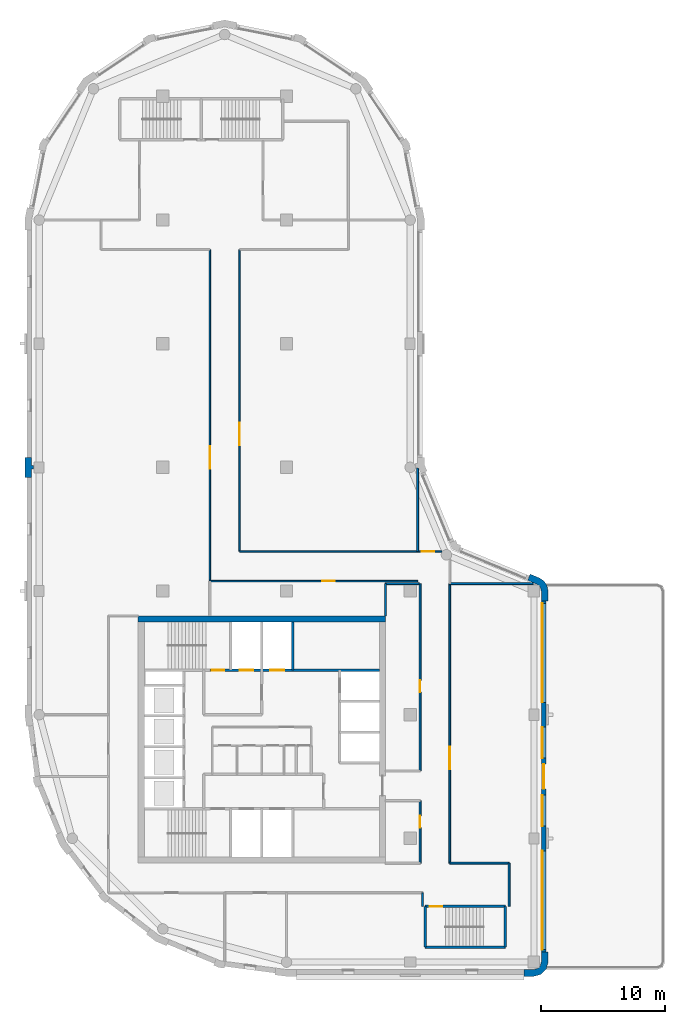
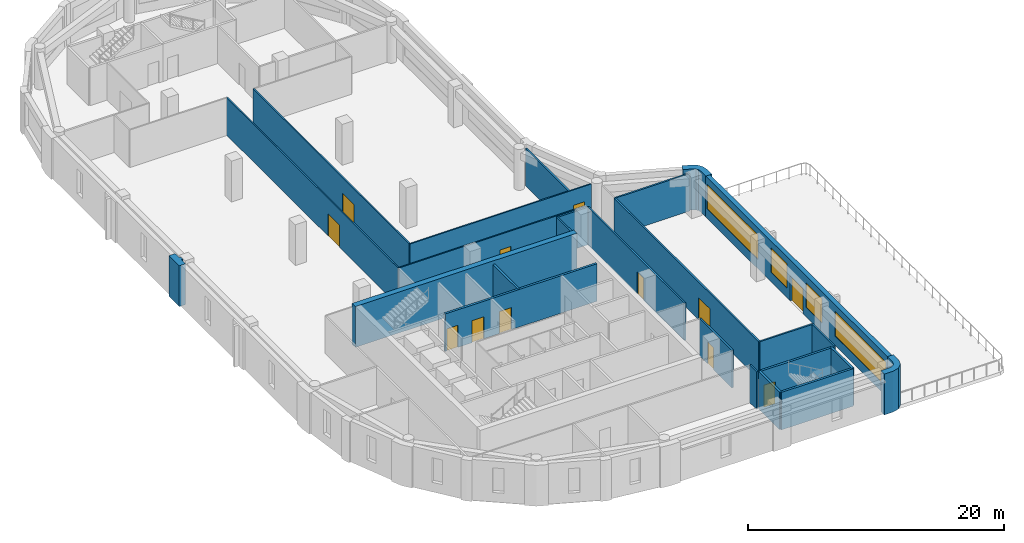
# One storey, part 4 of 8: 25 walls, 12 doors, 4 windows, 16 openings.
"""IFC4 building model written with IfcOpenShell, lengths in metres."""

from ifc_helpers import new_model, si_unit, direction, frame, frame_2d, origin, place, context, subcontext, project, spatial, polyline, rectangle, outline, extrude, material, layer, layer_set, type_object, element, fill, save


model = new_model("IFC4")

# Units and contexts
model_context = context("Model", 3, precision=1e-05, world=origin(), true_north=direction((0.0, 1.0)))
body_context = subcontext(model_context, "Body", "Model", "MODEL_VIEW")
ifc_project = project(units=[si_unit("LENGTHUNIT", "METRE"), si_unit("AREAUNIT", "SQUARE_METRE"), si_unit("VOLUMEUNIT", "CUBIC_METRE"), si_unit("PLANEANGLEUNIT", "RADIAN"), si_unit("MASSUNIT", "GRAM", prefix="KILO")], contexts=[model_context])

# Site, building, storey
site_placement = place(None, origin())
site = spatial("IfcSite", under=ifc_project, at=site_placement, CompositionType="ELEMENT")
building_placement = place(site_placement, origin())
building = spatial("IfcBuilding", under=site, at=building_placement, Name="Qaws Garden Tower", CompositionType="ELEMENT")
storey_placement = place(building_placement, frame((0.0, 0.0, 278.699951171875)))
storey = spatial("IfcBuildingStorey", under=building, at=storey_placement, Name="L67", CompositionType="ELEMENT", Elevation=278.699951171875)

# Walls
ifc_material_1 = material(Name="Clay facing brick masonry", Category="masonry")
ifc_layer_1 = layer(ifc_material_1, 0.550048828125)
ifc_layer_set_1 = layer_set([ifc_layer_1], Name="Clay facing brick masonry")
wall_type_1 = type_object("IfcWallType", Name="Brick corner pier 550 x 2400", PredefinedType="SOLIDWALL", material=ifc_layer_set_1)
placement = place(storey_placement, origin())
element("IfcWall", 1, at=placement, inside=storey, type_object=wall_type_1, Name="E-L67-pier-02", PredefinedType="SOLIDWALL", context=body_context, shape_type="SweptSolid", body=[
    extrude(outline(polyline([(39.199951171875, -1.0), (39.199951171875, -1.14990234375), (40.0, -1.14990234375), (40.574951171875, -0.995849609375), (40.995849609375, -0.574951171875), (41.14990234375, 0.0), (41.14990234375, 0.800048828125), (41.0, 0.800048828125), (40.60009765625, 0.800048828125), (40.60009765625, 0.0), (40.51953125, -0.300048828125), (40.300048828125, -0.51953125), (40.0, -0.60009765625), (39.199951171875, -0.60009765625), (39.199951171875, -1.0)])), origin(), (0.0, 0.0, 1.0), 3.900146484375),
])
element("IfcWall", 2, at=placement, inside=storey, type_object=wall_type_1, Name="E-L67-pier-05", PredefinedType="SOLIDWALL", context=body_context, shape_type="SweptSolid", body=[
    extrude(outline(polyline([(41.0, 29.199951171875), (41.14990234375, 29.199951171875), (41.14990234375, 30.0), (41.0625, 30.440185546875), (40.813232421875, 30.813232421875), (40.440185546875, 31.0625), (39.700927734375, 31.36865234375), (39.6435546875, 31.22998046875), (39.490478515625, 30.860595703125), (40.2294921875, 30.554443359375), (40.42431640625, 30.42431640625), (40.554443359375, 30.2294921875), (40.60009765625, 30.0), (40.60009765625, 29.199951171875), (41.0, 29.199951171875)])), origin(), (0.0, 0.0, 1.0), 3.900146484375),
])

# Wall, openings, windows, door
ifc_material_2 = material(Name="Clay facing brick masonry", Category="masonry")
ifc_layer_2 = layer(ifc_material_2, 0.39990234375)
ifc_layer_set_2 = layer_set([ifc_layer_2], Name="Clay facing brick masonry")
wall_type_2 = type_object("IfcWallType", Name="Brick infill wall 400", PredefinedType="SOLIDWALL", material=ifc_layer_set_2)
wall_3_placement = place(storey_placement, frame((40.800048828125, 0.800048828125, 0.0), z_axis=(0.0, 0.0, 1.0), x_axis=(0.0, 1.0, 0.0)))
wall_3 = element("IfcWall", 3, at=wall_3_placement, inside=storey, type_object=wall_type_2, Name="E-L67-infill-02", PredefinedType="SOLIDWALL", context=body_context, shape_type="SweptSolid", body=[
    extrude(rectangle(XDim=28.39990234375, YDim=0.39990234375, at=frame_2d((14.199951171875, 0.0))), origin(), (0.0, 0.0, 1.0), 3.900146484375),
])
opening_1_placement = place(wall_3_placement, frame((0.199951171875, 0.0, 0.89990234375)))
opening_1 = element("IfcOpeningElement", 4, at=opening_1_placement, cuts=wall_3, Name="Opening W01", PredefinedType="OPENING", context=body_context, shape_type="SweptSolid", body=[
    extrude(rectangle(XDim=8.0, YDim=2.35009765625, at=frame_2d((4.0, 1.175048828125))), frame((0.0, 0.2099609375, 0.0), z_axis=(0.0, -1.0, 0.0), x_axis=(1.0, 0.0, 0.0)), (0.0, 0.0, 1.0), 0.419921875),
])
opening_2_placement = place(wall_3_placement, frame((10.199951171875, 0.0, 0.89990234375)))
opening_2 = element("IfcOpeningElement", 5, at=opening_2_placement, cuts=wall_3, Name="Opening W12", PredefinedType="OPENING", context=body_context, shape_type="SweptSolid", body=[
    extrude(rectangle(XDim=2.5, YDim=2.35009765625, at=frame_2d((1.25, 1.175048828125))), frame((0.0, 0.2099609375, 0.0), z_axis=(0.0, -1.0, 0.0), x_axis=(1.0, 0.0, 0.0)), (0.0, 0.0, 1.0), 0.419921875),
])
opening_3_placement = place(wall_3_placement, frame((13.199951171875, 0.0, 0.0)))
opening_3 = element("IfcOpeningElement", 6, at=opening_3_placement, cuts=wall_3, Name="Opening XD012", PredefinedType="OPENING", context=body_context, shape_type="SweptSolid", body=[
    extrude(rectangle(XDim=2.0, YDim=2.39990234375, at=frame_2d((1.0, 1.199951171875))), frame((0.0, 0.2099609375, 0.0), z_axis=(0.0, -1.0, 0.0), x_axis=(1.0, 0.0, 0.0)), (0.0, 0.0, 1.0), 0.419921875),
])
opening_4_placement = place(wall_3_placement, frame((15.699951171875, 0.0, 0.89990234375)))
opening_4 = element("IfcOpeningElement", 7, at=opening_4_placement, cuts=wall_3, Name="Opening W12", PredefinedType="OPENING", context=body_context, shape_type="SweptSolid", body=[
    extrude(rectangle(XDim=2.5, YDim=2.35009765625, at=frame_2d((1.25, 1.175048828125))), frame((0.0, 0.2099609375, 0.0), z_axis=(0.0, -1.0, 0.0), x_axis=(1.0, 0.0, 0.0)), (0.0, 0.0, 1.0), 0.419921875),
])
opening_5_placement = place(wall_3_placement, frame((20.199951171875, 0.0, 0.89990234375)))
opening_5 = element("IfcOpeningElement", 8, at=opening_5_placement, cuts=wall_3, Name="Opening W01", PredefinedType="OPENING", context=body_context, shape_type="SweptSolid", body=[
    extrude(rectangle(XDim=8.0, YDim=2.35009765625, at=frame_2d((4.0, 1.175048828125))), frame((0.0, 0.2099609375, 0.0), z_axis=(0.0, -1.0, 0.0), x_axis=(1.0, 0.0, 0.0)), (0.0, 0.0, 1.0), 0.419921875),
])
ifc_material_3 = material(Name="Aluminium framed window, clear glazing", Category="aluminium")
window_type_1 = type_object("IfcWindowType", Name="Ribbon window 8000 x 2350", PartitioningType="DOUBLE_PANEL_VERTICAL", PredefinedType="WINDOW", material=ifc_material_3)
window_1_placement = place(opening_1_placement, origin())
window_1 = element("IfcWindow", 9, at=window_1_placement, inside=storey, type_object=window_type_1, Name="E-L67-window-02-0", OverallHeight=2.35009765625, OverallWidth=8.0, PartitioningType="SINGLE_PANEL", PredefinedType="WINDOW", context=body_context, shape_type="SweptSolid", body=[
    extrude(rectangle(XDim=8.0, YDim=2.35009765625, at=frame_2d((4.0, 1.175048828125))), frame((0.0, 0.159912109375, 0.0), z_axis=(0.0, -1.0, 0.0), x_axis=(1.0, 0.0, 0.0)), (0.0, 0.0, 1.0), 0.06005859375),
])
fill(opening_1, window_1)
window_2_placement = place(opening_5_placement, origin())
window_2 = element("IfcWindow", 10, at=window_2_placement, inside=storey, type_object=window_type_1, Name="E-L67-window-04-0", OverallHeight=2.35009765625, OverallWidth=8.0, PartitioningType="SINGLE_PANEL", PredefinedType="WINDOW", context=body_context, shape_type="SweptSolid", body=[
    extrude(rectangle(XDim=8.0, YDim=2.35009765625, at=frame_2d((4.0, 1.175048828125))), frame((0.0, 0.159912109375, 0.0), z_axis=(0.0, -1.0, 0.0), x_axis=(1.0, 0.0, 0.0)), (0.0, 0.0, 1.0), 0.06005859375),
])
fill(opening_5, window_2)
ifc_material_4 = material(Name="Aluminium framed window, clear glazing", Category="aluminium")
window_type_2 = type_object("IfcWindowType", Name="Sidelight window 2500 x 2350", PartitioningType="SINGLE_PANEL", PredefinedType="WINDOW", material=ifc_material_4)
window_3_placement = place(opening_2_placement, origin())
window_3 = element("IfcWindow", 11, at=window_3_placement, inside=storey, type_object=window_type_2, Name="E-L67-window-03-0", OverallHeight=2.35009765625, OverallWidth=2.5, PartitioningType="SINGLE_PANEL", PredefinedType="WINDOW", context=body_context, shape_type="SweptSolid", body=[
    extrude(rectangle(XDim=2.5, YDim=2.35009765625, at=frame_2d((1.25, 1.175048828125))), frame((0.0, 0.159912109375, 0.0), z_axis=(0.0, -1.0, 0.0), x_axis=(1.0, 0.0, 0.0)), (0.0, 0.0, 1.0), 0.06005859375),
])
fill(opening_2, window_3)
window_4_placement = place(opening_4_placement, origin())
window_4 = element("IfcWindow", 12, at=window_4_placement, inside=storey, type_object=window_type_2, Name="E-L67-window-03-2", OverallHeight=2.35009765625, OverallWidth=2.5, PartitioningType="SINGLE_PANEL", PredefinedType="WINDOW", context=body_context, shape_type="SweptSolid", body=[
    extrude(rectangle(XDim=2.5, YDim=2.35009765625, at=frame_2d((1.25, 1.175048828125))), frame((0.0, 0.159912109375, 0.0), z_axis=(0.0, -1.0, 0.0), x_axis=(1.0, 0.0, 0.0)), (0.0, 0.0, 1.0), 0.06005859375),
])
fill(opening_4, window_4)
ifc_material_5 = material(Name="Aluminium framed glazed door, clear glazing", Category="aluminium")
door_type_1 = type_object("IfcDoorType", Name="Terrace door 2000 x 2400", OperationType="DOUBLE_DOOR_DOUBLE_SWING", PredefinedType="DOOR", material=ifc_material_5)
door_1_placement = place(opening_3_placement, frame((2.0, 0.0, 0.0), z_axis=(0.0, 0.0, 1.0), x_axis=(-1.0, 0.0, 0.0)))
door_1 = element("IfcDoor", 13, at=door_1_placement, inside=storey, type_object=door_type_1, Name="E-L67-door-03", OperationType="DOUBLE_DOOR_DOUBLE_SWING", OverallHeight=2.39990234375, OverallWidth=2.0, PredefinedType="DOOR", context=body_context, shape_type="SweptSolid", body=[
    extrude(rectangle(XDim=2.0, YDim=2.39990234375, at=frame_2d((1.0, 1.199951171875))), frame((0.0, 0.02490234375, 0.0), z_axis=(0.0, -1.0, 0.0), x_axis=(1.0, 0.0, 0.0)), (0.0, 0.0, 1.0), 0.050048828125),
])
fill(opening_3, door_1)

# Walls
ifc_material_6 = material(Name="Clay facing brick masonry", Category="masonry")
ifc_layer_3 = layer(ifc_material_6, 0.550048828125)
ifc_layer_set_3 = layer_set([ifc_layer_3], Name="Clay facing brick masonry")
wall_type_3 = type_object("IfcWallType", Name="Brick pier 550 x 1600", PredefinedType="SOLIDWALL", material=ifc_layer_set_3)
element("IfcWall", 14, at=placement, inside=storey, type_object=wall_type_3, Name="E-L67-pier-19", PredefinedType="SOLIDWALL", context=body_context, shape_type="SweptSolid", body=[
    extrude(outline(polyline([(-0.60009765625, 39.199951171875), (-0.60009765625, 39.85009765625), (-0.449951171875, 39.85009765625), (-0.449951171875, 40.14990234375), (-0.60009765625, 40.14990234375), (-0.60009765625, 40.800048828125), (-1.0, 40.800048828125), (-1.14990234375, 40.800048828125), (-1.14990234375, 40.0), (-1.14990234375, 39.199951171875), (-1.0, 39.199951171875), (-0.60009765625, 39.199951171875)])), origin(), (0.0, 0.0, 1.0), 3.900146484375),
])
ifc_material_7 = material(Name="Concrete C60", Category="concrete")
ifc_layer_4 = layer(ifc_material_7, 0.199951171875)
ifc_layer_set_4 = layer_set([ifc_layer_4], Name="Concrete C60")
wall_type_4 = type_object("IfcWallType", Name="Core shaft wall 200 C60", PredefinedType="SHEAR", material=ifc_layer_set_4)
wall_5_placement = place(storey_placement, frame((31.199951171875, 1.199951171875, 0.0), z_axis=(0.0, 0.0, 1.0), x_axis=(1.0, 0.0, 0.0)))
element("IfcWall", 15, at=wall_5_placement, inside=storey, type_object=wall_type_4, Name="Shaft wall", PredefinedType="SHEAR", context=body_context, shape_type="SweptSolid", body=[
    extrude(rectangle(XDim=6.5, YDim=0.199951171875, at=frame_2d((3.25, 0.0))), origin(), (0.0, 0.0, 1.0), 3.580078125),
])

# Wall, opening, door
wall_6_placement = place(storey_placement, frame((31.199951171875, 4.5, 0.0), z_axis=(0.0, 0.0, 1.0), x_axis=(1.0, 0.0, 0.0)))
wall_6 = element("IfcWall", 16, at=wall_6_placement, inside=storey, type_object=wall_type_4, Name="Shaft wall", PredefinedType="SHEAR", context=body_context, shape_type="SweptSolid", body=[
    extrude(rectangle(XDim=6.5, YDim=0.199951171875, at=frame_2d((3.25, 0.0))), origin(), (0.0, 0.0, 1.0), 3.580078125),
])
opening_6_placement = place(wall_6_placement, frame((0.375, 0.0, 0.0)))
opening_6 = element("IfcOpeningElement", 17, at=opening_6_placement, cuts=wall_6, Name="Opening SD12", PredefinedType="OPENING", context=body_context, shape_type="SweptSolid", body=[
    extrude(rectangle(XDim=1.0, YDim=2.10009765625, at=frame_2d((0.5, 1.050048828125))), frame((0.0, 0.10986328125, 0.0), z_axis=(0.0, -1.0, 0.0), x_axis=(1.0, 0.0, 0.0)), (0.0, 0.0, 1.0), 0.219970703125),
])
ifc_material_8 = material(Name="Steel S235", Category="steel")
door_type_2 = type_object("IfcDoorType", Name="Stair door 1000x2100", OperationType="SINGLE_SWING_RIGHT", PredefinedType="DOOR", material=ifc_material_8)
door_2_placement = place(opening_6_placement, frame((1.0, 0.0, 0.0), z_axis=(0.0, 0.0, 1.0), x_axis=(-1.0, 0.0, 0.0)))
door_2 = element("IfcDoor", 18, at=door_2_placement, inside=storey, type_object=door_type_2, Name="Stair 5 door", OperationType="SINGLE_SWING_RIGHT", OverallHeight=2.10009765625, OverallWidth=1.0, PredefinedType="DOOR", context=body_context, shape_type="SweptSolid", body=[
    extrude(rectangle(XDim=1.0, YDim=2.10009765625, at=frame_2d((0.5, 1.050048828125))), frame((0.0, 0.02490234375, 0.0), z_axis=(0.0, -1.0, 0.0), x_axis=(1.0, 0.0, 0.0)), (0.0, 0.0, 1.0), 0.050048828125),
])
fill(opening_6, door_2)

# Wall, openings, doors
wall_7_placement = place(storey_placement, frame((13.800048828125, 23.60009765625, 0.0), z_axis=(0.0, 0.0, 1.0), x_axis=(1.0, 0.0, 0.0)))
wall_7 = element("IfcWall", 19, at=wall_7_placement, inside=storey, type_object=wall_type_4, Name="Shaft wall", PredefinedType="SHEAR", context=body_context, shape_type="SweptSolid", body=[
    extrude(rectangle(XDim=13.699951171875, YDim=0.199951171875, at=frame_2d((6.85009765625, 0.0))), origin(), (0.0, 0.0, 1.0), 3.580078125),
])
opening_7_placement = place(wall_7_placement, frame((2.39990234375, 0.0, 0.0)))
opening_7 = element("IfcOpeningElement", 20, at=opening_7_placement, cuts=wall_7, Name="Opening LD08", PredefinedType="OPENING", context=body_context, shape_type="SweptSolid", body=[
    extrude(rectangle(XDim=1.10009765625, YDim=2.10009765625, at=frame_2d((0.550048828125, 1.050048828125))), frame((0.0, 0.10986328125, 0.0), z_axis=(0.0, -1.0, 0.0), x_axis=(1.0, 0.0, 0.0)), (0.0, 0.0, 1.0), 0.219970703125),
])
opening_8_placement = place(wall_7_placement, frame((4.89990234375, 0.0, 0.0)))
opening_8 = element("IfcOpeningElement", 21, at=opening_8_placement, cuts=wall_7, Name="Opening LD09", PredefinedType="OPENING", context=body_context, shape_type="SweptSolid", body=[
    extrude(rectangle(XDim=1.10009765625, YDim=2.10009765625, at=frame_2d((0.550048828125, 1.050048828125))), frame((0.0, 0.10986328125, 0.0), z_axis=(0.0, -1.0, 0.0), x_axis=(1.0, 0.0, 0.0)), (0.0, 0.0, 1.0), 0.219970703125),
])
opening_9_placement = place(wall_7_placement, frame((0.14990234375, 0.0, 0.0)))
opening_9 = element("IfcOpeningElement", 22, at=opening_9_placement, cuts=wall_7, Name="Opening SD11", PredefinedType="OPENING", context=body_context, shape_type="SweptSolid", body=[
    extrude(rectangle(XDim=1.0, YDim=2.10009765625, at=frame_2d((0.5, 1.050048828125))), frame((0.0, 0.10986328125, 0.0), z_axis=(0.0, -1.0, 0.0), x_axis=(1.0, 0.0, 0.0)), (0.0, 0.0, 1.0), 0.219970703125),
])
ifc_material_9 = material(Name="Steel S235", Category="steel")
door_type_3 = type_object("IfcDoorType", Name="Landing door 1100x2100", OperationType="DOUBLE_DOOR_SLIDING", PredefinedType="DOOR", material=ifc_material_9)
door_3_placement = place(opening_7_placement, origin())
door_3 = element("IfcDoor", 23, at=door_3_placement, inside=storey, type_object=door_type_3, Name="Lift FF3 landing door", OperationType="DOUBLE_DOOR_SLIDING", OverallHeight=2.10009765625, OverallWidth=1.10009765625, PredefinedType="DOOR", context=body_context, shape_type="SweptSolid", body=[
    extrude(rectangle(XDim=1.10009765625, YDim=2.10009765625, at=frame_2d((0.550048828125, 1.050048828125))), frame((0.0, 0.02490234375, 0.0), z_axis=(0.0, -1.0, 0.0), x_axis=(1.0, 0.0, 0.0)), (0.0, 0.0, 1.0), 0.050048828125),
])
fill(opening_7, door_3)
door_4_placement = place(opening_8_placement, origin())
door_4 = element("IfcDoor", 24, at=door_4_placement, inside=storey, type_object=door_type_3, Name="Lift SV2 landing door", OperationType="DOUBLE_DOOR_SLIDING", OverallHeight=2.10009765625, OverallWidth=1.10009765625, PredefinedType="DOOR", context=body_context, shape_type="SweptSolid", body=[
    extrude(rectangle(XDim=1.10009765625, YDim=2.10009765625, at=frame_2d((0.550048828125, 1.050048828125))), frame((0.0, 0.02490234375, 0.0), z_axis=(0.0, -1.0, 0.0), x_axis=(1.0, 0.0, 0.0)), (0.0, 0.0, 1.0), 0.050048828125),
])
fill(opening_8, door_4)
door_5_placement = place(opening_9_placement, origin())
door_5 = element("IfcDoor", 25, at=door_5_placement, inside=storey, type_object=door_type_2, Name="Stair 4 door", OperationType="SINGLE_SWING_RIGHT", OverallHeight=2.10009765625, OverallWidth=1.0, PredefinedType="DOOR", context=body_context, shape_type="SweptSolid", body=[
    extrude(rectangle(XDim=1.0, YDim=2.10009765625, at=frame_2d((0.5, 1.050048828125))), frame((0.0, 0.02490234375, 0.0), z_axis=(0.0, -1.0, 0.0), x_axis=(1.0, 0.0, 0.0)), (0.0, 0.0, 1.0), 0.050048828125),
])
fill(opening_9, door_5)

# Walls
wall_8_placement = place(storey_placement, frame((20.5, 23.60009765625, 0.0), z_axis=(0.0, 0.0, 1.0), x_axis=(0.0, 1.0, 0.0)))
element("IfcWall", 26, at=wall_8_placement, inside=storey, type_object=wall_type_4, Name="Shaft wall", PredefinedType="SHEAR", context=body_context, shape_type="SweptSolid", body=[
    extrude(rectangle(XDim=3.89990234375, YDim=0.199951171875, at=frame_2d((1.949951171875, 0.0))), origin(), (0.0, 0.0, 1.0), 3.580078125),
])
for number, where, z_axis, x_axis, name in (
    (27, (31.199951171875, 1.199951171875, 0.0), (0.0, 0.0, 1.0), (0.0, 1.0, 0.0), "Shaft wall"),
    (28, (37.699951171875, 1.199951171875, 0.0), (0.0, 0.0, 1.0), (0.0, 1.0, 0.0), "Shaft wall"),
):
    element("IfcWall", number, at=place(storey_placement, frame(where, z_axis=z_axis, x_axis=x_axis)), inside=storey, type_object=wall_type_4, Name=name, PredefinedType="SHEAR", context=body_context, shape_type="SweptSolid", body=[
        extrude(rectangle(XDim=3.300048828125, YDim=0.199951171875, at=frame_2d((1.64990234375, 0.0))), origin(), (0.0, 0.0, 1.0), 3.580078125),
    ])
ifc_material_10 = material(Name="Concrete C60", Category="concrete")
ifc_layer_5 = layer(ifc_material_10, 0.5)
ifc_layer_set_5 = layer_set([ifc_layer_5], Name="Concrete C60")
wall_type_5 = type_object("IfcWallType", Name="Core wall 500 C60", PredefinedType="SHEAR", material=ifc_layer_set_5)
wall_9_placement = place(storey_placement, frame((28.0, 27.75, 0.0), z_axis=(0.0, 0.0, 1.0), x_axis=(-1.0, 0.0, 0.0)))
element("IfcWall", 29, at=wall_9_placement, inside=storey, type_object=wall_type_5, Name="Core wall L67 north", PredefinedType="SHEAR", context=body_context, shape_type="SweptSolid", body=[
    extrude(rectangle(XDim=20.0, YDim=0.5, at=frame_2d((10.0, 0.0))), origin(), (0.0, 0.0, 1.0), 3.900146484375),
])

# Wall, opening, door
ifc_material_11 = material(Name="Glass and aluminium framing", Category="aluminium")
ifc_layer_6 = layer(ifc_material_11, 0.1201171875)
ifc_layer_set_6 = layer_set([ifc_layer_6], Name="Glass and aluminium framing")
wall_type_6 = type_object("IfcWallType", Name="GLAZED PARTITION 120 EI 30", PredefinedType="PARTITIONING", material=ifc_layer_set_6)
wall_10_placement = place(storey_placement, frame((13.800048828125, 30.800048828125, 0.0), z_axis=(0.0, 0.0, 1.0), x_axis=(0.0, 1.0, 0.0)))
wall_10 = element("IfcWall", 30, at=wall_10_placement, inside=storey, type_object=wall_type_6, Name="O-L67-wall-030", PredefinedType="PARTITIONING", context=body_context, shape_type="SweptSolid", body=[
    extrude(rectangle(XDim=26.800048828125, YDim=0.1201171875, at=frame_2d((13.39990234375, 0.0))), origin(), (0.0, 0.0, 1.0), 3.580078125),
])
opening_10_placement = place(wall_10_placement, frame((9.10009765625, 0.0, 0.0)))
opening_10 = element("IfcOpeningElement", 31, at=opening_10_placement, cuts=wall_10, Name="Opening C411", PredefinedType="OPENING", context=body_context, shape_type="SweptSolid", body=[
    extrude(rectangle(XDim=1.800048828125, YDim=2.10009765625, at=frame_2d((0.89990234375, 1.050048828125))), frame((0.0, 0.070068359375, 0.0), z_axis=(0.0, -1.0, 0.0), x_axis=(1.0, 0.0, 0.0)), (0.0, 0.0, 1.0), 0.14013671875),
])
ifc_material_12 = material(Name="Timber door leaf", Category="wood")
door_type_4 = type_object("IfcDoorType", Name="DOUBLE DOOR 1800 X 2100", OperationType="DOUBLE_DOOR_SINGLE_SWING", PredefinedType="DOOR", material=ifc_material_12)
door_6_placement = place(opening_10_placement, origin())
door_6 = element("IfcDoor", 32, at=door_6_placement, inside=storey, type_object=door_type_4, Name="O-L67-door-011", OperationType="DOUBLE_DOOR_SINGLE_SWING", OverallHeight=2.10009765625, OverallWidth=1.800048828125, PredefinedType="DOOR", context=body_context, shape_type="SweptSolid", body=[
    extrude(rectangle(XDim=1.800048828125, YDim=2.10009765625, at=frame_2d((0.89990234375, 1.050048828125))), frame((0.0, 0.02490234375, 0.0), z_axis=(0.0, -1.0, 0.0), x_axis=(1.0, 0.0, 0.0)), (0.0, 0.0, 1.0), 0.050048828125),
])
fill(opening_10, door_6)

wall_11_placement = place(storey_placement, frame((16.199951171875, 33.199951171875, 0.0), z_axis=(0.0, 0.0, 1.0), x_axis=(0.0, 1.0, 0.0)))
wall_11 = element("IfcWall", 33, at=wall_11_placement, inside=storey, type_object=wall_type_6, Name="O-L67-wall-031", PredefinedType="PARTITIONING", context=body_context, shape_type="SweptSolid", body=[
    extrude(rectangle(XDim=24.400146484375, YDim=0.1201171875, at=frame_2d((12.2001953125, 0.0))), origin(), (0.0, 0.0, 1.0), 3.580078125),
])
opening_11_placement = place(wall_11_placement, frame((8.60009765625, 0.0, 0.0)))
opening_11 = element("IfcOpeningElement", 34, at=opening_11_placement, cuts=wall_11, Name="Opening C412", PredefinedType="OPENING", context=body_context, shape_type="SweptSolid", body=[
    extrude(rectangle(XDim=1.800048828125, YDim=2.10009765625, at=frame_2d((0.89990234375, 1.050048828125))), frame((0.0, 0.070068359375, 0.0), z_axis=(0.0, -1.0, 0.0), x_axis=(1.0, 0.0, 0.0)), (0.0, 0.0, 1.0), 0.14013671875),
])
door_7_placement = place(opening_11_placement, frame((1.800048828125, 0.0, 0.0), z_axis=(0.0, 0.0, 1.0), x_axis=(-1.0, 0.0, 0.0)))
door_7 = element("IfcDoor", 35, at=door_7_placement, inside=storey, type_object=door_type_4, Name="O-L67-door-012", OperationType="DOUBLE_DOOR_SINGLE_SWING", OverallHeight=2.10009765625, OverallWidth=1.800048828125, PredefinedType="DOOR", context=body_context, shape_type="SweptSolid", body=[
    extrude(rectangle(XDim=1.800048828125, YDim=2.10009765625, at=frame_2d((0.89990234375, 1.050048828125))), frame((0.0, 0.02490234375, 0.0), z_axis=(0.0, -1.0, 0.0), x_axis=(1.0, 0.0, 0.0)), (0.0, 0.0, 1.0), 0.050048828125),
])
fill(opening_11, door_7)

wall_12_placement = place(storey_placement, frame((13.802001953125, 30.800048828125, 0.0), z_axis=(0.0, 0.0, 1.0), x_axis=(1.0, 0.0, 0.0)))
wall_12 = element("IfcWall", 36, at=wall_12_placement, inside=storey, type_object=wall_type_6, Name="O-L67-wall-036", PredefinedType="PARTITIONING", context=body_context, shape_type="SweptSolid", body=[
    extrude(rectangle(XDim=16.798095703125, YDim=0.1201171875, at=frame_2d((8.39892578125, 0.0))), origin(), (0.0, 0.0, 1.0), 3.580078125),
])
opening_12_placement = place(wall_12_placement, frame((9.10009765625, 0.0, 0.0)))
opening_12 = element("IfcOpeningElement", 37, at=opening_12_placement, cuts=wall_12, Name="Opening C405", PredefinedType="OPENING", context=body_context, shape_type="SweptSolid", body=[
    extrude(rectangle(XDim=1.0, YDim=2.10009765625, at=frame_2d((0.5, 1.050048828125))), frame((0.0, 0.070068359375, 0.0), z_axis=(0.0, -1.0, 0.0), x_axis=(1.0, 0.0, 0.0)), (0.0, 0.0, 1.0), 0.14013671875),
])
ifc_material_13 = material(Name="Timber door leaf", Category="wood")
door_type_5 = type_object("IfcDoorType", Name="TENANCY ENTRANCE DOOR 1000 X 2100", OperationType="SINGLE_SWING_LEFT", PredefinedType="DOOR", material=ifc_material_13)
door_8_placement = place(opening_12_placement, frame((1.0, 0.0, 0.0), z_axis=(0.0, 0.0, 1.0), x_axis=(-1.0, 0.0, 0.0)))
door_8 = element("IfcDoor", 38, at=door_8_placement, inside=storey, type_object=door_type_5, Name="O-L67-door-005", OperationType="SINGLE_SWING_LEFT", OverallHeight=2.10009765625, OverallWidth=1.0, PredefinedType="DOOR", context=body_context, shape_type="SweptSolid", body=[
    extrude(rectangle(XDim=1.0, YDim=2.10009765625, at=frame_2d((0.5, 1.050048828125))), frame((0.0, 0.02490234375, 0.0), z_axis=(0.0, -1.0, 0.0), x_axis=(1.0, 0.0, 0.0)), (0.0, 0.0, 1.0), 0.050048828125),
])
fill(opening_12, door_8)

wall_13_placement = place(storey_placement, frame((16.199951171875, 33.199951171875, 0.0), z_axis=(0.0, 0.0, 1.0), x_axis=(1.0, 0.0, 0.0)))
wall_13 = element("IfcWall", 39, at=wall_13_placement, inside=storey, type_object=wall_type_6, Name="O-L67-wall-037", PredefinedType="PARTITIONING", context=body_context, shape_type="SweptSolid", body=[
    extrude(rectangle(XDim=16.360107421875, YDim=0.1201171875, at=frame_2d((8.18017578125, 0.0))), origin(), (0.0, 0.0, 1.0), 3.580078125),
])
opening_13_placement = place(wall_13_placement, frame((14.75, 0.0, 0.0)))
opening_13 = element("IfcOpeningElement", 40, at=opening_13_placement, cuts=wall_13, Name="Opening C404", PredefinedType="OPENING", context=body_context, shape_type="SweptSolid", body=[
    extrude(rectangle(XDim=1.0, YDim=2.10009765625, at=frame_2d((0.5, 1.050048828125))), frame((0.0, 0.070068359375, 0.0), z_axis=(0.0, -1.0, 0.0), x_axis=(1.0, 0.0, 0.0)), (0.0, 0.0, 1.0), 0.14013671875),
])
door_9_placement = place(opening_13_placement, origin())
door_9 = element("IfcDoor", 41, at=door_9_placement, inside=storey, type_object=door_type_5, Name="O-L67-door-004", OperationType="SINGLE_SWING_LEFT", OverallHeight=2.10009765625, OverallWidth=1.0, PredefinedType="DOOR", context=body_context, shape_type="SweptSolid", body=[
    extrude(rectangle(XDim=1.0, YDim=2.10009765625, at=frame_2d((0.5, 1.050048828125))), frame((0.0, 0.02490234375, 0.0), z_axis=(0.0, -1.0, 0.0), x_axis=(1.0, 0.0, 0.0)), (0.0, 0.0, 1.0), 0.050048828125),
])
fill(opening_13, door_9)

# Walls
ifc_material_14 = material(Name="Gypsum board partition")
ifc_layer_7 = layer(ifc_material_14, 0.14990234375)
ifc_layer_set_7 = layer_set([ifc_layer_7], Name="Gypsum board partition")
wall_type_7 = type_object("IfcWallType", Name="PARTITION 150 EI 60", PredefinedType="PARTITIONING", material=ifc_layer_set_7)
wall_14_placement = place(storey_placement, frame((28.0, 28.0, 0.0), z_axis=(0.0, 0.0, 1.0), x_axis=(0.0, 1.0, 0.0)))
element("IfcWall", 42, at=wall_14_placement, inside=storey, type_object=wall_type_7, Name="O-L67-wall-007", PredefinedType="PARTITIONING", context=body_context, shape_type="SweptSolid", body=[
    extrude(rectangle(XDim=2.597900390625, YDim=0.14990234375, at=frame_2d((1.298828125, 0.0))), origin(), (0.0, 0.0, 1.0), 3.580078125),
])
wall_15_placement = place(storey_placement, frame((30.60009765625, 33.199951171875, 0.0), z_axis=(0.0, 0.0, 1.0), x_axis=(0.0, 1.0, 0.0)))
element("IfcWall", 43, at=wall_15_placement, inside=storey, type_object=wall_type_7, Name="O-L67-wall-008", PredefinedType="PARTITIONING", context=body_context, shape_type="SweptSolid", body=[
    extrude(rectangle(XDim=6.73828125, YDim=0.14990234375, at=frame_2d((3.369140625, 0.0))), origin(), (0.0, 0.0, 1.0), 3.580078125),
])

# Wall, opening, door
wall_16_placement = place(storey_placement, frame((30.800048828125, 8.0, 0.0), z_axis=(0.0, 0.0, 1.0), x_axis=(0.0, 1.0, 0.0)))
wall_16 = element("IfcWall", 44, at=wall_16_placement, inside=storey, type_object=wall_type_7, Name="O-L67-wall-009", PredefinedType="PARTITIONING", context=body_context, shape_type="SweptSolid", body=[
    extrude(rectangle(XDim=5.050048828125, YDim=0.14990234375, at=frame_2d((2.52490234375, 0.0))), origin(), (0.0, 0.0, 1.0), 3.580078125),
])
opening_14_placement = place(wall_16_placement, frame((2.85009765625, 0.0, 0.0)))
opening_14 = element("IfcOpeningElement", 45, at=opening_14_placement, cuts=wall_16, Name="Opening C410", PredefinedType="OPENING", context=body_context, shape_type="SweptSolid", body=[
    extrude(rectangle(XDim=1.0, YDim=2.10009765625, at=frame_2d((0.5, 1.050048828125))), frame((0.0, 0.0849609375, 0.0), z_axis=(0.0, -1.0, 0.0), x_axis=(1.0, 0.0, 0.0)), (0.0, 0.0, 1.0), 0.169921875),
])
door_10_placement = place(opening_14_placement, origin())
door_10 = element("IfcDoor", 46, at=door_10_placement, inside=storey, type_object=door_type_5, Name="O-L67-door-010", OperationType="SINGLE_SWING_RIGHT", OverallHeight=2.10009765625, OverallWidth=1.0, PredefinedType="DOOR", context=body_context, shape_type="SweptSolid", body=[
    extrude(rectangle(XDim=1.0, YDim=2.10009765625, at=frame_2d((0.5, 1.050048828125))), frame((0.0, 0.02490234375, 0.0), z_axis=(0.0, -1.0, 0.0), x_axis=(1.0, 0.0, 0.0)), (0.0, 0.0, 1.0), 0.050048828125),
])
fill(opening_14, door_10)

wall_17_placement = place(storey_placement, frame((30.800048828125, 15.449951171875, 0.0), z_axis=(0.0, 0.0, 1.0), x_axis=(0.0, 1.0, 0.0)))
wall_17 = element("IfcWall", 47, at=wall_17_placement, inside=storey, type_object=wall_type_7, Name="O-L67-wall-010", PredefinedType="PARTITIONING", context=body_context, shape_type="SweptSolid", body=[
    extrude(rectangle(XDim=15.150146484375, YDim=0.14990234375, at=frame_2d((7.5751953125, 0.0))), origin(), (0.0, 0.0, 1.0), 3.580078125),
])
opening_15_placement = place(wall_17_placement, frame((6.35009765625, 0.0, 0.0)))
opening_15 = element("IfcOpeningElement", 48, at=opening_15_placement, cuts=wall_17, Name="Opening C409", PredefinedType="OPENING", context=body_context, shape_type="SweptSolid", body=[
    extrude(rectangle(XDim=1.0, YDim=2.10009765625, at=frame_2d((0.5, 1.050048828125))), frame((0.0, 0.0849609375, 0.0), z_axis=(0.0, -1.0, 0.0), x_axis=(1.0, 0.0, 0.0)), (0.0, 0.0, 1.0), 0.169921875),
])
door_11_placement = place(opening_15_placement, origin())
door_11 = element("IfcDoor", 49, at=door_11_placement, inside=storey, type_object=door_type_5, Name="O-L67-door-009", OperationType="SINGLE_SWING_RIGHT", OverallHeight=2.10009765625, OverallWidth=1.0, PredefinedType="DOOR", context=body_context, shape_type="SweptSolid", body=[
    extrude(rectangle(XDim=1.0, YDim=2.10009765625, at=frame_2d((0.5, 1.050048828125))), frame((0.0, 0.02490234375, 0.0), z_axis=(0.0, -1.0, 0.0), x_axis=(1.0, 0.0, 0.0)), (0.0, 0.0, 1.0), 0.050048828125),
])
fill(opening_15, door_11)

# Wall
wall_18_placement = place(storey_placement, frame((31.0, 4.5009765625, 0.0), z_axis=(0.0, 0.0, 1.0), x_axis=(0.0, 1.0, 0.0)))
element("IfcWall", 50, at=wall_18_placement, inside=storey, type_object=wall_type_7, Name="O-L67-wall-011", PredefinedType="PARTITIONING", context=body_context, shape_type="SweptSolid", body=[
    extrude(rectangle(XDim=1.09912109375, YDim=0.14990234375, at=frame_2d((0.549560546875, 0.0))), origin(), (0.0, 0.0, 1.0), 3.580078125),
])

# Wall, opening, door
wall_19_placement = place(storey_placement, frame((33.199951171875, 8.0, 0.0), z_axis=(0.0, 0.0, 1.0), x_axis=(0.0, 1.0, 0.0)))
wall_19 = element("IfcWall", 51, at=wall_19_placement, inside=storey, type_object=wall_type_7, Name="O-L67-wall-012", PredefinedType="PARTITIONING", context=body_context, shape_type="SweptSolid", body=[
    extrude(rectangle(XDim=22.60009765625, YDim=0.14990234375, at=frame_2d((11.300048828125, 0.0))), origin(), (0.0, 0.0, 1.0), 3.580078125),
])
opening_16_placement = place(wall_19_placement, frame((7.60009765625, 0.0, 0.0)))
opening_16 = element("IfcOpeningElement", 52, at=opening_16_placement, cuts=wall_19, Name="Opening C408", PredefinedType="OPENING", context=body_context, shape_type="SweptSolid", body=[
    extrude(rectangle(XDim=1.800048828125, YDim=2.10009765625, at=frame_2d((0.89990234375, 1.050048828125))), frame((0.0, 0.0849609375, 0.0), z_axis=(0.0, -1.0, 0.0), x_axis=(1.0, 0.0, 0.0)), (0.0, 0.0, 1.0), 0.169921875),
])
door_12_placement = place(opening_16_placement, frame((1.800048828125, 0.0, 0.0), z_axis=(0.0, 0.0, 1.0), x_axis=(-1.0, 0.0, 0.0)))
door_12 = element("IfcDoor", 53, at=door_12_placement, inside=storey, type_object=door_type_4, Name="O-L67-door-008", OperationType="DOUBLE_DOOR_SINGLE_SWING", OverallHeight=2.10009765625, OverallWidth=1.800048828125, PredefinedType="DOOR", context=body_context, shape_type="SweptSolid", body=[
    extrude(rectangle(XDim=1.800048828125, YDim=2.10009765625, at=frame_2d((0.89990234375, 1.050048828125))), frame((0.0, 0.02490234375, 0.0), z_axis=(0.0, -1.0, 0.0), x_axis=(1.0, 0.0, 0.0)), (0.0, 0.0, 1.0), 0.050048828125),
])
fill(opening_16, door_12)

# Walls
wall_20_placement = place(storey_placement, frame((38.0, 4.5009765625, 0.0), z_axis=(0.0, 0.0, 1.0), x_axis=(0.0, 1.0, 0.0)))
element("IfcWall", 54, at=wall_20_placement, inside=storey, type_object=wall_type_7, Name="O-L67-wall-013", PredefinedType="PARTITIONING", context=body_context, shape_type="SweptSolid", body=[
    extrude(rectangle(XDim=3.4990234375, YDim=0.14990234375, at=frame_2d((1.74951171875, 0.0))), origin(), (0.0, 0.0, 1.0), 3.580078125),
])
wall_21_placement = place(storey_placement, frame((33.199951171875, 8.0, 0.0), z_axis=(0.0, 0.0, 1.0), x_axis=(1.0, 0.0, 0.0)))
element("IfcWall", 55, at=wall_21_placement, inside=storey, type_object=wall_type_7, Name="O-L67-wall-016", PredefinedType="PARTITIONING", context=body_context, shape_type="SweptSolid", body=[
    extrude(rectangle(XDim=4.800048828125, YDim=0.14990234375, at=frame_2d((2.39990234375, 0.0))), origin(), (0.0, 0.0, 1.0), 3.580078125),
])
wall_22_placement = place(storey_placement, frame((28.001953125, 30.60009765625, 0.0), z_axis=(0.0, 0.0, 1.0), x_axis=(1.0, 0.0, 0.0)))
element("IfcWall", 56, at=wall_22_placement, inside=storey, type_object=wall_type_7, Name="O-L67-wall-021", PredefinedType="PARTITIONING", context=body_context, shape_type="SweptSolid", body=[
    extrude(rectangle(XDim=2.72314453125, YDim=0.14990234375, at=frame_2d((1.361572265625, 0.0))), origin(), (0.0, 0.0, 1.0), 3.580078125),
])
wall_23_placement = place(storey_placement, frame((33.199951171875, 30.60009765625, 0.0), z_axis=(0.0, 0.0, 1.0), x_axis=(1.0, 0.0, 0.0)))
element("IfcWall", 57, at=wall_23_placement, inside=storey, type_object=wall_type_7, Name="O-L67-wall-022", PredefinedType="PARTITIONING", context=body_context, shape_type="SweptSolid", body=[
    extrude(rectangle(XDim=6.73828125, YDim=0.14990234375, at=frame_2d((3.369140625, 0.0))), origin(), (0.0, 0.0, 1.0), 3.580078125),
])

save(model, "model.ifc")
